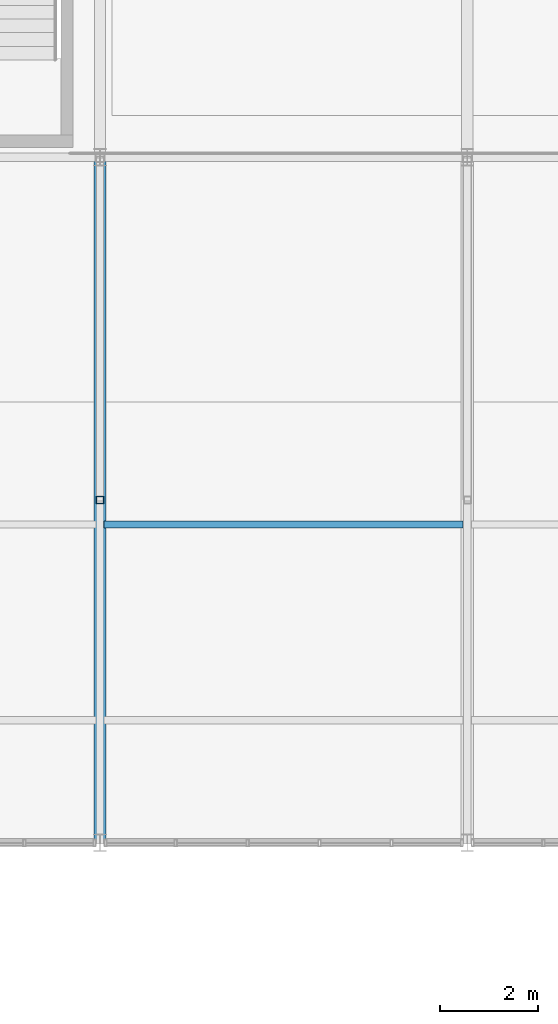
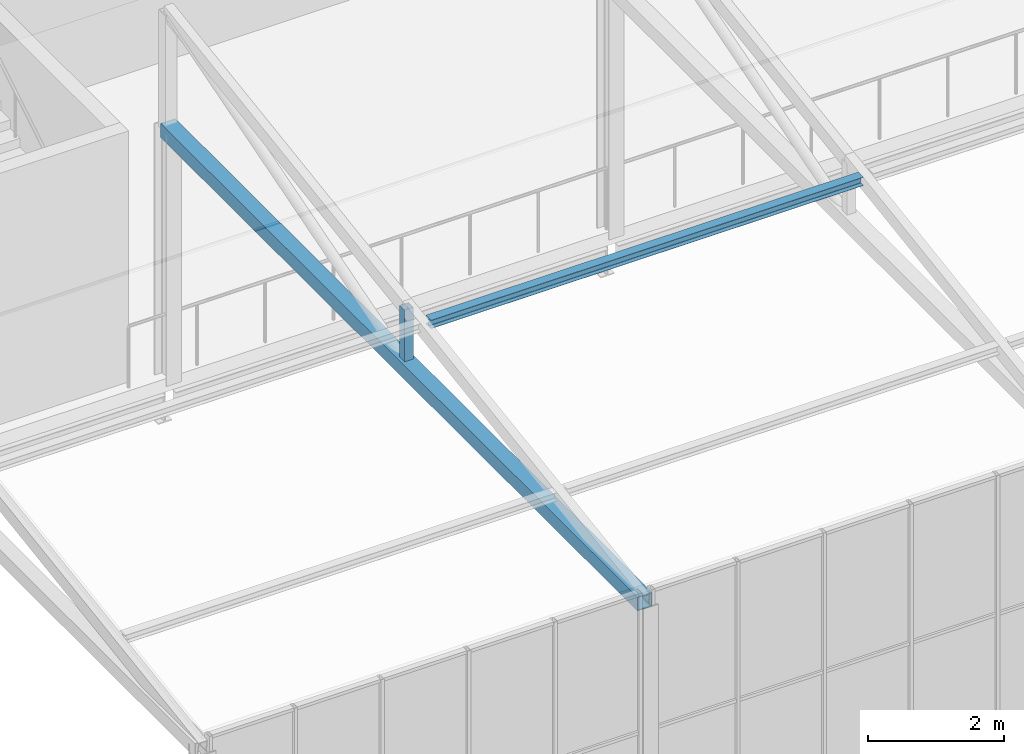
# One storey, part 34 of 104: 2 members, 1 beam.
"""IFC4 building model written with IfcOpenShell, lengths in metres."""

from ifc_helpers import new_model, si_unit, direction, frame, origin, origin_2d, place, context, subcontext, project, spatial, hollow_rectangle, i_section, extrude, material, material_profile, profile_set, type_object, element, save


model = new_model("IFC4")

# Units and contexts
model_context = context("Model", 3, precision=1e-05, world=origin(), true_north=direction((0.0, 1.0)))
body_context = subcontext(model_context, "Body", "Model", "MODEL_VIEW")
ifc_project = project(units=[si_unit("LENGTHUNIT", "METRE"), si_unit("AREAUNIT", "SQUARE_METRE"), si_unit("VOLUMEUNIT", "CUBIC_METRE"), si_unit("PLANEANGLEUNIT", "RADIAN"), si_unit("MASSUNIT", "GRAM", prefix="KILO")], contexts=[model_context])

# Site, building, storey
site_placement = place(None, origin())
site = spatial("IfcSite", under=ifc_project, at=site_placement, CompositionType="ELEMENT")
building_placement = place(site_placement, origin())
building = spatial("IfcBuilding", under=site, at=building_placement, Name="Solvenia Promenade Tram Depot", CompositionType="ELEMENT")
storey_placement = place(building_placement, frame((0.0, 0.0, 9.0)))
storey = spatial("IfcBuildingStorey", under=building, at=storey_placement, Name="L02", CompositionType="ELEMENT", Elevation=9.0)

# Members
ifc_material_1 = material(Name="Structural steel ASTM A500 Gr. C", Category="steel")
ifc_material_profile_1 = material_profile(ifc_material_1, hollow_rectangle(XDim=0.25, YDim=0.25, WallThickness=0.010009765625, at=origin_2d()), Name="HSS250x250x10", Category="steel")
ifc_profile_set_1 = profile_set([ifc_material_profile_1], Name="Structural steel ASTM A500 Gr. C")
member_type_1 = type_object("IfcMemberType", Name="Chord-HSS250x250x10", PredefinedType="CHORD", material=ifc_profile_set_1)
member_1_placement = place(storey_placement, frame((112.5, 24.0, 4.47998046875), z_axis=(0.0, 1.0, 0.0), x_axis=(-1.0, 0.0, 0.0)))
element("IfcMember", 1, at=member_1_placement, inside=storey, type_object=member_type_1, Name="Crane Hall Truss Bottom Tie 02", PredefinedType="CHORD", context=body_context, shape_type="SweptSolid", body=[
    extrude(hollow_rectangle(XDim=0.25, YDim=0.25, WallThickness=0.010009765625, at=origin_2d()), origin(), (0.0, 0.0, 1.0), 14.0),
])
ifc_material_profile_2 = material_profile(ifc_material_1, hollow_rectangle(XDim=0.14990234375, YDim=0.14990234375, WallThickness=0.008056640625, at=origin_2d()), Name="HSS150x150x8", Category="steel")
ifc_profile_set_2 = profile_set([ifc_material_profile_2], Name="Structural steel ASTM A500 Gr. C")
member_type_2 = type_object("IfcMemberType", Name="Post-HSS150x150x8", PredefinedType="POST", material=ifc_profile_set_2)
member_2_placement = place(storey_placement, frame((112.5, 31.0, 4.47998046875), z_axis=(0.0, 0.0, 1.0), x_axis=(1.0, 0.0, 0.0)))
element("IfcMember", 2, at=member_2_placement, inside=storey, type_object=member_type_2, Name="Crane Hall Mid Web Post 02", PredefinedType="POST", context=body_context, shape_type="SweptSolid", body=[
    extrude(hollow_rectangle(XDim=0.14990234375, YDim=0.14990234375, WallThickness=0.008056640625, at=origin_2d()), origin(), (0.0, 0.0, 1.0), 1.050048828125),
])

# Beam
ifc_material_2 = material(Name="Structural steel ASTM A992 Gr. 50", Category="steel")
ifc_material_profile_3 = material_profile(ifc_material_2, i_section(OverallWidth=0.152099609375, OverallDepth=0.152099609375, WebThickness=0.005859375, FlangeThickness=0.006591796875, FilletRadius=0.008056640625, at=origin_2d()), Name="W150x22", Category="steel")
ifc_profile_set_3 = profile_set([ifc_material_profile_3], Name="Structural steel ASTM A992 Gr. 50")
beam_type = type_object("IfcBeamType", Name="Purlin-W150x22", PredefinedType="USERDEFINED", material=ifc_profile_set_3)
beam_placement = place(storey_placement, frame((112.5849609375, 30.5, 5.52001953125), z_axis=(1.0, 0.0, 0.0), x_axis=(0.0, 1.0, 0.0)))
element("IfcBeam", 3, at=beam_placement, inside=storey, type_object=beam_type, Name="Clerestory Purlin 0204", ObjectType="PURLIN", PredefinedType="USERDEFINED", context=body_context, shape_type="SweptSolid", body=[
    extrude(i_section(OverallWidth=0.152099609375, OverallDepth=0.152099609375, WebThickness=0.005859375, FlangeThickness=0.006591796875, FilletRadius=0.008056640625, at=origin_2d()), origin(), (0.0, 0.0, 1.0), 7.330078125),
])

save(model, "model.ifc")
